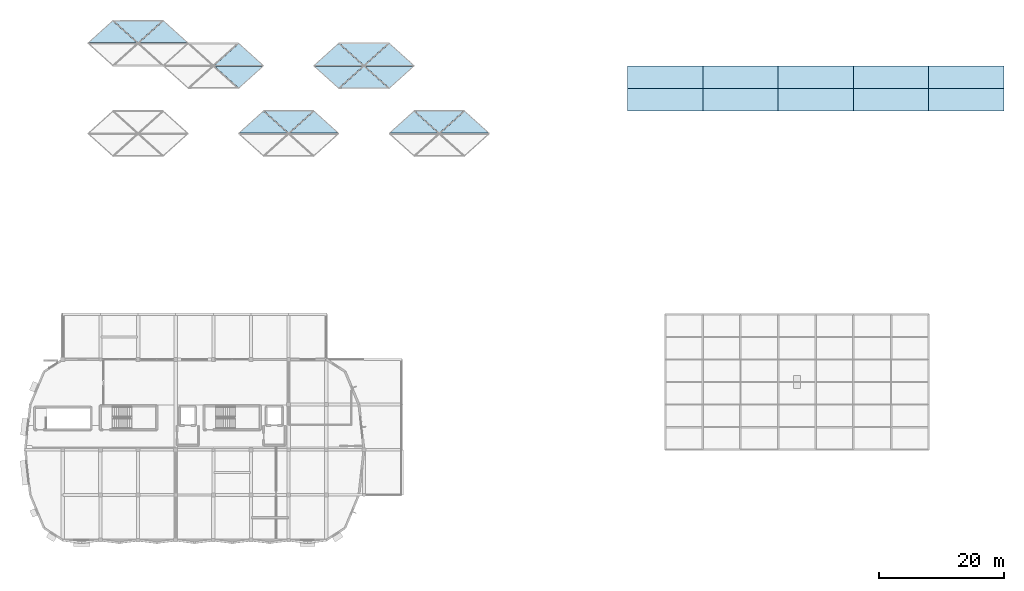
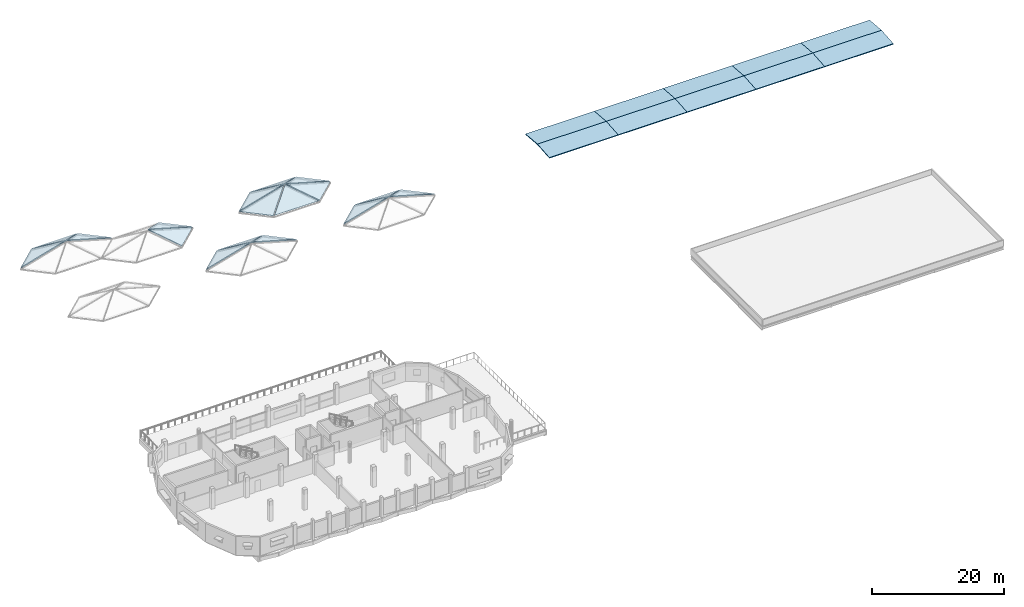
# One storey, part 11 of 19: 27 slabs.
"""IFC4 building model written with IfcOpenShell, lengths in metres."""

from ifc_helpers import new_model, si_unit, direction, frame, origin, place, context, subcontext, project, spatial, polyline, outline, extrude, material, layer, layer_set, type_object, element, save


model = new_model("IFC4")

# Units and contexts
model_context = context("Model", 3, precision=1e-05, world=origin(), true_north=direction((0.0, 1.0)))
body_context = subcontext(model_context, "Body", "Model", "MODEL_VIEW")
ifc_project = project(units=[si_unit("LENGTHUNIT", "METRE"), si_unit("AREAUNIT", "SQUARE_METRE"), si_unit("VOLUMEUNIT", "CUBIC_METRE"), si_unit("PLANEANGLEUNIT", "RADIAN"), si_unit("MASSUNIT", "GRAM", prefix="KILO")], contexts=[model_context])

# Site, building, storey
site_placement = place(None, origin())
site = spatial("IfcSite", under=ifc_project, at=site_placement, CompositionType="ELEMENT")
building_placement = place(site_placement, origin())
building = spatial("IfcBuilding", under=site, at=building_placement, Name="Dunvalen Ferry Terminal", CompositionType="ELEMENT")
storey_placement = place(building_placement, frame((0.0, 0.0, 13.580078125)))
storey = spatial("IfcBuildingStorey", under=building, at=storey_placement, Name="L03", CompositionType="ELEMENT", Elevation=13.580078125)

# Slabs
ifc_material_1 = material(Name="Precast concrete C40/50 - Deep Navy Marine Enamel", Category="concrete")
ifc_layer_1 = layer(ifc_material_1, 0.159912109375, Name="Precast concrete C40/50 - Deep Navy Marine Enamel")
ifc_layer_set_1 = layer_set([ifc_layer_1], Name="Precast concrete C40/50 - Deep Navy Marine Enamel")
slab_type_1 = type_object("IfcSlabType", Name="STR-ROOF-PYRCAP", PredefinedType="ROOF", material=ifc_layer_set_1)
slab_1_placement = place(storey_placement, frame((37.908935546875, 79.281982421875, 3.56982421875), z_axis=(0.263217989869, 0.292462371401, 0.919337832967), x_axis=(-0.743291801261, 0.668967337154, 0.0)))
element("IfcSlab", 1, at=slab_1_placement, inside=storey, type_object=slab_type_1, Name="HEX-16 Hexagonal Drum Steep Pyramid Concrete Cap 4", PredefinedType="ROOF", context=body_context, shape_type="SweptSolid", body=[
    extrude(outline(polyline([(0.0, 0.0), (5.176836854784256, 0.0), (5.7194997539386, 5.5992322766414), (0.0, 0.0)])), origin(), (0.0, 0.0, -1.0), 0.159912109375),
])
slab_2_placement = place(storey_placement, frame((33.876953125, 82.800048828125, 3.56982421875), z_axis=(0.0, 0.536757093287, 0.843736820819), x_axis=(-1.0, 0.0, 0.0)))
element("IfcSlab", 2, at=slab_2_placement, inside=storey, type_object=slab_type_1, Name="HEX-16 Hexagonal Drum Steep Pyramid Concrete Cap 5", PredefinedType="ROOF", context=body_context, shape_type="SweptSolid", body=[
    extrude(outline(polyline([(0.0, 0.0), (7.75390625, 0.0), (3.876953125, 4.136349331045518), (0.0, 0.0)])), origin(), (0.0, 0.0, -1.0), 0.159912109375),
])
for number, where, z_axis, x_axis, name in (
    (3, (25.93896484375, 82.7451171875, 3.56982421875), (-0.263217989869, 0.292462371401, 0.919337832967), (-0.743291801261, -0.668967337154, 0.0), "HEX-16 Hexagonal Drum Steep Pyramid Concrete Cap 6"),
    (4, (46.06103515625, 72.054931640625, 3.56982421875), (0.263217989869, -0.292462371401, 0.919337832967), (0.743291801261, 0.668967337154, 0.0), "HEX-21 Hexagonal Drum Steep Pyramid Concrete Cap 3"),
):
    element("IfcSlab", number, at=place(storey_placement, frame(where, z_axis=z_axis, x_axis=x_axis)), inside=storey, type_object=slab_type_1, Name=name, PredefinedType="ROOF", context=body_context, shape_type="SweptSolid", body=[
        extrude(outline(polyline([(0.0, 0.0), (5.176836854784256, 0.0), (-0.5426628991543446, 5.5992322766414), (0.0, 0.0)])), origin(), (0.0, 0.0, -1.0), 0.159912109375),
    ])
slab_3_placement = place(storey_placement, frame((49.908935546875, 75.681884765625, 3.56982421875), z_axis=(0.263217989869, 0.292462371401, 0.919337832967), x_axis=(-0.743291801261, 0.668967337154, 0.0)))
element("IfcSlab", 5, at=slab_3_placement, inside=storey, type_object=slab_type_1, Name="HEX-21 Hexagonal Drum Steep Pyramid Concrete Cap 4", PredefinedType="ROOF", context=body_context, shape_type="SweptSolid", body=[
    extrude(outline(polyline([(0.0, 0.0), (5.176836854784256, 0.0), (5.7194997539386, 5.5992322766414), (0.0, 0.0)])), origin(), (0.0, 0.0, -1.0), 0.159912109375),
])
slab_4_placement = place(storey_placement, frame((61.908935546875, 64.882080078125, 3.56982421875), z_axis=(0.263216402535, 0.29248122676, 0.919332288908), x_axis=(-0.743315251381, 0.66894128073, 0.0)))
element("IfcSlab", 6, at=slab_4_placement, inside=storey, type_object=slab_type_1, Name="HEX-25 Hexagonal Drum Steep Pyramid Concrete Cap 4", PredefinedType="ROOF", context=body_context, shape_type="SweptSolid", body=[
    extrude(outline(polyline([(0.0, 0.0), (5.176673535861125, -4.440892098500626e-16), (5.719680198491304, 5.599047950328076), (0.0, 0.0)])), origin(), (0.0, 0.0, -1.0), 0.159912109375),
])
slab_5_placement = place(storey_placement, frame((57.876953125, 68.39990234375, 3.56982421875), z_axis=(0.0, 0.536757093287, 0.843736820819), x_axis=(-1.0, 0.0, 0.0)))
element("IfcSlab", 7, at=slab_5_placement, inside=storey, type_object=slab_type_1, Name="HEX-25 Hexagonal Drum Steep Pyramid Concrete Cap 5", PredefinedType="ROOF", context=body_context, shape_type="SweptSolid", body=[
    extrude(outline(polyline([(0.0, 0.0), (7.75390625, 0.0), (3.876953125, 4.136349331045518), (0.0, 0.0)])), origin(), (0.0, 0.0, -1.0), 0.159912109375),
])
slab_6_placement = place(storey_placement, frame((49.93896484375, 68.344970703125, 3.56982421875), z_axis=(-0.263216402535, 0.29248122676, 0.919332288908), x_axis=(-0.743315251381, -0.66894128073, 0.0)))
element("IfcSlab", 8, at=slab_6_placement, inside=storey, type_object=slab_type_1, Name="HEX-25 Hexagonal Drum Steep Pyramid Concrete Cap 6", PredefinedType="ROOF", context=body_context, shape_type="SweptSolid", body=[
    extrude(outline(polyline([(0.0, 0.0), (5.176673535861125, 4.440892098500626e-16), (-0.5430066626301794, 5.599047950328076), (0.0, 0.0)])), origin(), (0.0, 0.0, -1.0), 0.159912109375),
])
slab_7_placement = place(storey_placement, frame((58.091064453125, 75.51806640625, 3.56982421875), z_axis=(-0.263217989869, -0.292462371401, 0.919337832967), x_axis=(0.743291801261, -0.668967337154, 0.0)))
element("IfcSlab", 9, at=slab_7_placement, inside=storey, type_object=slab_type_1, Name="HEX-32 Hexagonal Drum Steep Pyramid Concrete Cap 1", PredefinedType="ROOF", context=body_context, shape_type="SweptSolid", body=[
    extrude(outline(polyline([(0.0, 0.0), (5.176836854784256, 0.0), (5.7194997539386, 5.5992322766414), (0.0, 0.0)])), origin(), (0.0, 0.0, -1.0), 0.159912109375),
])
slab_8_placement = place(storey_placement, frame((62.123046875, 72.0, 3.56982421875), z_axis=(0.0, -0.536757093287, 0.843736820819), x_axis=(1.0, 0.0, 0.0)))
element("IfcSlab", 10, at=slab_8_placement, inside=storey, type_object=slab_type_1, Name="HEX-32 Hexagonal Drum Steep Pyramid Concrete Cap 2", PredefinedType="ROOF", context=body_context, shape_type="SweptSolid", body=[
    extrude(outline(polyline([(0.0, 0.0), (7.75390625, 0.0), (3.876953125, 4.136349331045518), (0.0, 0.0)])), origin(), (0.0, 0.0, -1.0), 0.159912109375),
])
slab_9_placement = place(storey_placement, frame((70.06103515625, 72.054931640625, 3.56982421875), z_axis=(0.263217989869, -0.292462371401, 0.919337832967), x_axis=(0.743291801261, 0.668967337154, 0.0)))
element("IfcSlab", 11, at=slab_9_placement, inside=storey, type_object=slab_type_1, Name="HEX-32 Hexagonal Drum Steep Pyramid Concrete Cap 3", PredefinedType="ROOF", context=body_context, shape_type="SweptSolid", body=[
    extrude(outline(polyline([(0.0, 0.0), (5.176836854784256, 0.0), (-0.5426628991543446, 5.5992322766414), (0.0, 0.0)])), origin(), (0.0, 0.0, -1.0), 0.159912109375),
])
slab_10_placement = place(storey_placement, frame((73.908935546875, 75.681884765625, 3.56982421875), z_axis=(0.263217989869, 0.292462371401, 0.919337832967), x_axis=(-0.743291801261, 0.668967337154, 0.0)))
element("IfcSlab", 12, at=slab_10_placement, inside=storey, type_object=slab_type_1, Name="HEX-32 Hexagonal Drum Steep Pyramid Concrete Cap 4", PredefinedType="ROOF", context=body_context, shape_type="SweptSolid", body=[
    extrude(outline(polyline([(0.0, 0.0), (5.176836854784256, 0.0), (5.7194997539386, 5.5992322766414), (0.0, 0.0)])), origin(), (0.0, 0.0, -1.0), 0.159912109375),
])
slab_11_placement = place(storey_placement, frame((69.876953125, 79.199951171875, 3.56982421875), z_axis=(0.0, 0.536757093287, 0.843736820819), x_axis=(-1.0, 0.0, 0.0)))
element("IfcSlab", 13, at=slab_11_placement, inside=storey, type_object=slab_type_1, Name="HEX-32 Hexagonal Drum Steep Pyramid Concrete Cap 5", PredefinedType="ROOF", context=body_context, shape_type="SweptSolid", body=[
    extrude(outline(polyline([(0.0, 0.0), (7.75390625, 0.0), (3.876953125, 4.136349331045518), (0.0, 0.0)])), origin(), (0.0, 0.0, -1.0), 0.159912109375),
])
slab_12_placement = place(storey_placement, frame((61.93896484375, 79.14501953125, 3.56982421875), z_axis=(-0.263217989869, 0.292462371401, 0.919337832967), x_axis=(-0.743291801261, -0.668967337154, 0.0)))
element("IfcSlab", 14, at=slab_12_placement, inside=storey, type_object=slab_type_1, Name="HEX-32 Hexagonal Drum Steep Pyramid Concrete Cap 6", PredefinedType="ROOF", context=body_context, shape_type="SweptSolid", body=[
    extrude(outline(polyline([(0.0, 0.0), (5.176836854784256, 0.0), (-0.5426628991543446, 5.5992322766414), (0.0, 0.0)])), origin(), (0.0, 0.0, -1.0), 0.159912109375),
])
slab_13_placement = place(storey_placement, frame((85.908935546875, 64.882080078125, 3.56982421875), z_axis=(0.263216402535, 0.29248122676, 0.919332288908), x_axis=(-0.743315251381, 0.66894128073, 0.0)))
element("IfcSlab", 15, at=slab_13_placement, inside=storey, type_object=slab_type_1, Name="HEX-36 Hexagonal Drum Steep Pyramid Concrete Cap 4", PredefinedType="ROOF", context=body_context, shape_type="SweptSolid", body=[
    extrude(outline(polyline([(0.0, 0.0), (5.176673535861125, -4.440892098500626e-16), (5.719680198491304, 5.599047950328076), (0.0, 0.0)])), origin(), (0.0, 0.0, -1.0), 0.159912109375),
])
slab_14_placement = place(storey_placement, frame((81.876953125, 68.39990234375, 3.56982421875), z_axis=(0.0, 0.536757093287, 0.843736820819), x_axis=(-1.0, 0.0, 0.0)))
element("IfcSlab", 16, at=slab_14_placement, inside=storey, type_object=slab_type_1, Name="HEX-36 Hexagonal Drum Steep Pyramid Concrete Cap 5", PredefinedType="ROOF", context=body_context, shape_type="SweptSolid", body=[
    extrude(outline(polyline([(0.0, 0.0), (7.75390625, 0.0), (3.876953125, 4.136349331045518), (0.0, 0.0)])), origin(), (0.0, 0.0, -1.0), 0.159912109375),
])
slab_15_placement = place(storey_placement, frame((73.93896484375, 68.344970703125, 3.56982421875), z_axis=(-0.263216402535, 0.29248122676, 0.919332288908), x_axis=(-0.743315251381, -0.66894128073, 0.0)))
element("IfcSlab", 17, at=slab_15_placement, inside=storey, type_object=slab_type_1, Name="HEX-36 Hexagonal Drum Steep Pyramid Concrete Cap 6", PredefinedType="ROOF", context=body_context, shape_type="SweptSolid", body=[
    extrude(outline(polyline([(0.0, 0.0), (5.176673535861125, 4.440892098500626e-16), (-0.5430066626301794, 5.599047950328076), (0.0, 0.0)])), origin(), (0.0, 0.0, -1.0), 0.159912109375),
])
ifc_material_2 = material(Name="Precast concrete C40/50", Category="concrete")
ifc_layer_2 = layer(ifc_material_2, 0.14990234375, Name="Precast concrete C40/50")
ifc_layer_set_2 = layer_set([ifc_layer_2], Name="Precast concrete C40/50")
slab_type_2 = type_object("IfcSlabType", Name="STR-ROOF-VAULT", PredefinedType="ROOF", material=ifc_layer_set_2)
for number, where, z_axis, x_axis, name in (
    (18, (108.0, 68.39990234375, 0.330322265625), (0.0, -0.084331635898, 0.996437742755), (1.0, 0.0, 0.0), "Arrivals Hall Barrel-Vault Roof Facet 1.4"),
    (19, (108.0, 72.0, 0.635009765625), (0.0, 0.084331635898, 0.996437742755), (1.0, 0.0, 0.0), "Arrivals Hall Barrel-Vault Roof Facet 1.5"),
    (20, (120.0, 68.39990234375, 0.330322265625), (0.0, -0.084331635898, 0.996437742755), (1.0, 0.0, 0.0), "Arrivals Hall Barrel-Vault Roof Facet 2.4"),
    (21, (120.0, 72.0, 0.635009765625), (0.0, 0.084331635898, 0.996437742755), (1.0, 0.0, 0.0), "Arrivals Hall Barrel-Vault Roof Facet 2.5"),
    (22, (132.0, 68.39990234375, 0.330322265625), (0.0, -0.084331635898, 0.996437742755), (1.0, 0.0, 0.0), "Arrivals Hall Barrel-Vault Roof Facet 3.4"),
    (23, (132.0, 72.0, 0.635009765625), (0.0, 0.084331635898, 0.996437742755), (1.0, 0.0, 0.0), "Arrivals Hall Barrel-Vault Roof Facet 3.5"),
    (24, (144.0, 68.39990234375, 0.330322265625), (0.0, -0.084331635898, 0.996437742755), (1.0, 0.0, 0.0), "Arrivals Hall Barrel-Vault Roof Facet 4.4"),
    (25, (144.0, 72.0, 0.635009765625), (0.0, 0.084331635898, 0.996437742755), (1.0, 0.0, 0.0), "Arrivals Hall Barrel-Vault Roof Facet 4.5"),
    (26, (156.0, 68.39990234375, 0.330322265625), (0.0, -0.084331635898, 0.996437742755), (1.0, 0.0, 0.0), "Arrivals Hall Barrel-Vault Roof Facet 5.4"),
    (27, (156.0, 72.0, 0.635009765625), (0.0, 0.084331635898, 0.996437742755), (1.0, 0.0, 0.0), "Arrivals Hall Barrel-Vault Roof Facet 5.5"),
):
    element("IfcSlab", number, at=place(storey_placement, frame(where, z_axis=z_axis, x_axis=x_axis)), inside=storey, type_object=slab_type_2, Name=name, PredefinedType="ROOF", context=body_context, shape_type="SweptSolid", body=[
        extrude(outline(polyline([(0.0, 0.0), (12.0, 0.0), (12.0, 3.612967977604146), (0.0, 3.612967977604146), (0.0, 0.0)])), origin(), (0.0, 0.0, -1.0), 0.14990234375),
    ])

save(model, "model.ifc")
